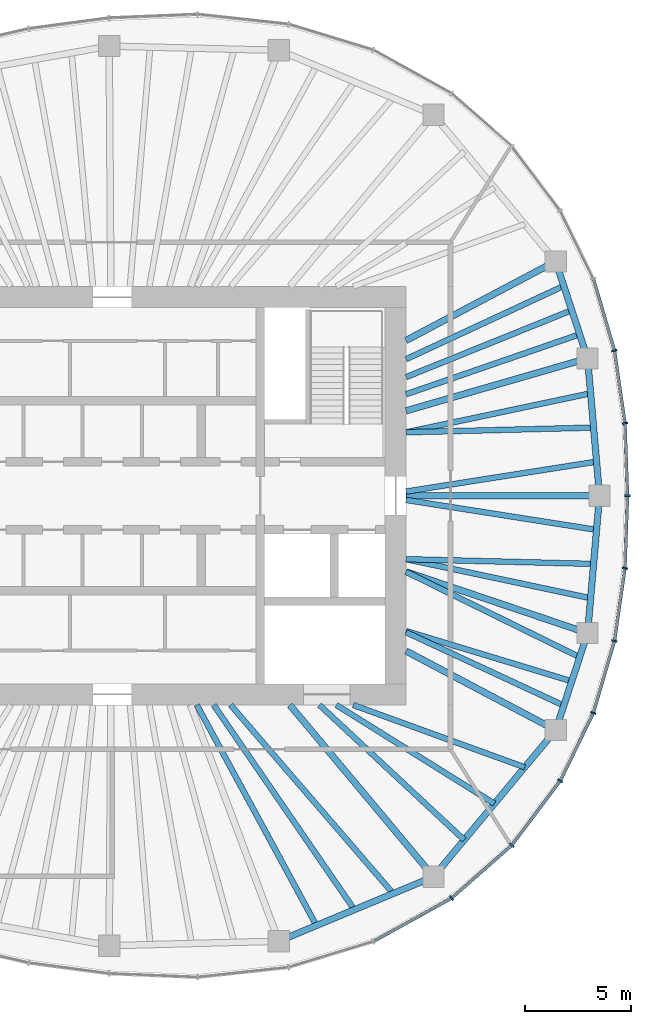
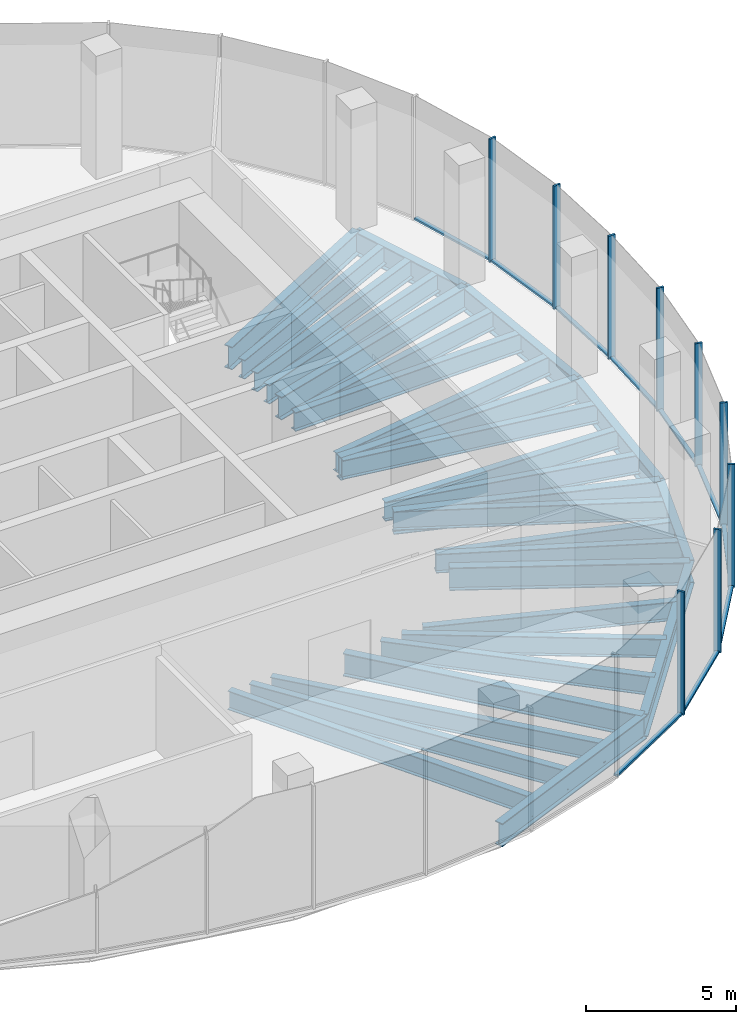
# One storey, part 4 of 11: 30 beams, 19 members, 6 elements without a shape of their own.
"""IFC4 building model written with IfcOpenShell, lengths in metres."""

from ifc_helpers import new_model, si_unit, direction, frame, origin, origin_2d, place, context, subcontext, project, spatial, rectangle, i_section, extrude, material, material_profile, profile_set, type_object, element, aggregate, save


model = new_model("IFC4")

# Units and contexts
model_context = context("Model", 3, precision=1e-05, world=origin(), true_north=direction((0.0, 1.0)))
body_context = subcontext(model_context, "Body", "Model", "MODEL_VIEW")
ifc_project = project(units=[si_unit("LENGTHUNIT", "METRE"), si_unit("AREAUNIT", "SQUARE_METRE"), si_unit("VOLUMEUNIT", "CUBIC_METRE"), si_unit("PLANEANGLEUNIT", "RADIAN"), si_unit("MASSUNIT", "GRAM", prefix="KILO")], contexts=[model_context])

# Site, building, storey
site_placement = place(None, origin())
site = spatial("IfcSite", under=ifc_project, at=site_placement, CompositionType="ELEMENT")
building_placement = place(site_placement, origin())
building = spatial("IfcBuilding", under=site, at=building_placement, Name="Ghaith Harvest Tower", CompositionType="ELEMENT")
storey_placement = place(building_placement, frame((0.0, 0.0, 339.199951171875)))
storey = spatial("IfcBuildingStorey", under=building, at=storey_placement, Name="L76", CompositionType="ELEMENT", Elevation=339.199951171875)

# Curtain wall, members
ifc_material_1 = material(Name="Black anodised aluminium and fritted glass", Category="aluminium")
curtain_wall_type = type_object("IfcCurtainWallType", Name="CW-C CURTAIN WALL", PredefinedType="NOTDEFINED", material=ifc_material_1)
curtain_wall_1_placement = place(storey_placement, origin())
curtain_wall_1 = element("IfcCurtainWall", 1, at=curtain_wall_1_placement, inside=storey, type_object=curtain_wall_type, Name="Curtain wall CW-C bay 01 L76", PredefinedType="NOTDEFINED")
ifc_material_2 = material(Name="Aluminium, black anodised", Category="aluminium")
ifc_material_profile_1 = material_profile(ifc_material_2, rectangle(XDim=0.080078125, YDim=0.260009765625, at=origin_2d()), Name="CW-C MULLION 80x260")
ifc_profile_set_1 = profile_set([ifc_material_profile_1], Name="Aluminium, black anodised")
member_type_1 = type_object("IfcMemberType", Name="CW-C MULLION 80x260", PredefinedType="MULLION", material=ifc_profile_set_1)
member_1_placement = place(storey_placement, frame((24.3701171875, 0.0, 0.0), z_axis=(0.0, 0.0, 1.0), x_axis=(5.2e-11, 1.0, 0.0)))
member_1 = element("IfcMember", 2, at=member_1_placement, type_object=member_type_1, Name="CW-C mullion 1 bay 01 L76", PredefinedType="MULLION", context=body_context, shape_type="SweptSolid", body=[
    extrude(rectangle(XDim=0.080078125, YDim=0.260009765625, at=origin_2d()), origin(), (0.0, 0.0, 1.0), 5.0),
])
member_2_placement = place(storey_placement, frame((24.247802734375, 3.433837890625, 0.0), z_axis=(0.0, 0.0, 1.0), x_axis=(-0.089502202236, 0.995986624305, 0.0)))
member_2 = element("IfcMember", 3, at=member_2_placement, type_object=member_type_1, Name="CW-C mullion 2 bay 01 L76", PredefinedType="MULLION", context=body_context, shape_type="SweptSolid", body=[
    extrude(rectangle(XDim=0.080078125, YDim=0.260009765625, at=origin_2d()), origin(), (0.0, 0.0, 1.0), 5.0),
])

# Curtain wall, member
curtain_wall_2_placement = place(storey_placement, origin())
curtain_wall_2 = element("IfcCurtainWall", 4, at=curtain_wall_2_placement, inside=storey, type_object=curtain_wall_type, Name="Curtain wall CW-C bay 02 L76", PredefinedType="NOTDEFINED")
member_3_placement = place(storey_placement, frame((23.753173828125, 6.865234375, 0.0), z_axis=(0.0, 0.0, 1.0), x_axis=(-0.21340203233, 0.976964468442, 0.0)))
member_3 = element("IfcMember", 5, at=member_3_placement, type_object=member_type_1, Name="CW-C mullion 1 bay 02 L76", PredefinedType="MULLION", context=body_context, shape_type="SweptSolid", body=[
    extrude(rectangle(XDim=0.080078125, YDim=0.260009765625, at=origin_2d()), origin(), (0.0, 0.0, 1.0), 5.0),
])

# Curtain wall, members
curtain_wall_3_placement = place(storey_placement, origin())
curtain_wall_3 = element("IfcCurtainWall", 6, at=curtain_wall_3_placement, inside=storey, type_object=curtain_wall_type, Name="Curtain wall CW-C bay 18 L76", PredefinedType="NOTDEFINED")
member_4_placement = place(storey_placement, frame((16.04931640625, -19.031982421875, 0.0), z_axis=(0.0, 0.0, 1.0), x_axis=(0.821112053644, 0.570767023715, 0.0)))
member_4 = element("IfcMember", 7, at=member_4_placement, type_object=member_type_1, Name="CW-C mullion 1 bay 18 L76", PredefinedType="MULLION", context=body_context, shape_type="SweptSolid", body=[
    extrude(rectangle(XDim=0.080078125, YDim=0.260009765625, at=origin_2d()), origin(), (0.0, 0.0, 1.0), 5.0),
])
member_5_placement = place(storey_placement, frame((18.901123046875, -16.527099609375, 0.0), z_axis=(0.0, 0.0, 1.0), x_axis=(0.679660897254, 0.733526458108, 0.0)))
member_5 = element("IfcMember", 8, at=member_5_placement, type_object=member_type_1, Name="CW-C mullion 2 bay 18 L76", PredefinedType="MULLION", context=body_context, shape_type="SweptSolid", body=[
    extrude(rectangle(XDim=0.080078125, YDim=0.260009765625, at=origin_2d()), origin(), (0.0, 0.0, 1.0), 5.0),
])

curtain_wall_4_placement = place(storey_placement, origin())
curtain_wall_4 = element("IfcCurtainWall", 9, at=curtain_wall_4_placement, inside=storey, type_object=curtain_wall_type, Name="Curtain wall CW-C bay 19 L76", PredefinedType="NOTDEFINED")
member_6_placement = place(storey_placement, frame((21.18896484375, -13.48486328125, 0.0), z_axis=(0.0, 0.0, 1.0), x_axis=(0.524482238715, 0.85142138878, 0.0)))
member_6 = element("IfcMember", 10, at=member_6_placement, type_object=member_type_1, Name="CW-C mullion 1 bay 19 L76", PredefinedType="MULLION", context=body_context, shape_type="SweptSolid", body=[
    extrude(rectangle(XDim=0.080078125, YDim=0.260009765625, at=origin_2d()), origin(), (0.0, 0.0, 1.0), 5.0),
])
member_7_placement = place(storey_placement, frame((22.754150390625, -10.272216796875, 0.0), z_axis=(0.0, 0.0, 1.0), x_axis=(0.361184273904, 0.932494461262, 0.0)))
member_7 = element("IfcMember", 11, at=member_7_placement, type_object=member_type_1, Name="CW-C mullion 2 bay 19 L76", PredefinedType="MULLION", context=body_context, shape_type="SweptSolid", body=[
    extrude(rectangle(XDim=0.080078125, YDim=0.260009765625, at=origin_2d()), origin(), (0.0, 0.0, 1.0), 5.0),
])

curtain_wall_5_placement = place(storey_placement, origin())
curtain_wall_5 = element("IfcCurtainWall", 12, at=curtain_wall_5_placement, inside=storey, type_object=curtain_wall_type, Name="Curtain wall CW-C bay 20 L76", PredefinedType="NOTDEFINED")
member_8_placement = place(storey_placement, frame((23.753173828125, -6.865234375, 0.0), z_axis=(0.0, 0.0, 1.0), x_axis=(0.213402032501, 0.976964468404, 0.0)))
member_8 = element("IfcMember", 13, at=member_8_placement, type_object=member_type_1, Name="CW-C mullion 1 bay 20 L76", PredefinedType="MULLION", context=body_context, shape_type="SweptSolid", body=[
    extrude(rectangle(XDim=0.080078125, YDim=0.260009765625, at=origin_2d()), origin(), (0.0, 0.0, 1.0), 5.0),
])
member_9_placement = place(storey_placement, frame((24.247802734375, -3.433837890625, 0.0), z_axis=(0.0, 0.0, 1.0), x_axis=(0.089502202305, 0.995986624299, 0.0)))
member_9 = element("IfcMember", 14, at=member_9_placement, type_object=member_type_1, Name="CW-C mullion 2 bay 20 L76", PredefinedType="MULLION", context=body_context, shape_type="SweptSolid", body=[
    extrude(rectangle(XDim=0.080078125, YDim=0.260009765625, at=origin_2d()), origin(), (0.0, 0.0, 1.0), 5.0),
])

# Member
ifc_material_3 = material(Name="Aluminium, black anodised", Category="aluminium")
ifc_material_profile_2 = material_profile(ifc_material_3, rectangle(XDim=0.159912109375, YDim=0.080078125, at=origin_2d()), Name="CW-C TRANSOM 160x80")
ifc_profile_set_2 = profile_set([ifc_material_profile_2], Name="Aluminium, black anodised")
member_type_2 = type_object("IfcMemberType", Name="CW-C TRANSOM 160x80", PredefinedType="USERDEFINED", material=ifc_profile_set_2)
member_10_placement = place(storey_placement, frame((24.36865234375, 0.0400390625, 0.0400390625), z_axis=(-0.035574759537, 0.999367017909, 0.0), x_axis=(-0.999367017909, -0.035574759537, 0.0)))
member_10 = element("IfcMember", 15, at=member_10_placement, type_object=member_type_2, Name="CW-C transom 1 bay 01 L76", ObjectType="TRANSOM", PredefinedType="USERDEFINED", context=body_context, shape_type="SweptSolid", body=[
    extrude(rectangle(XDim=0.159912109375, YDim=0.080078125, at=origin_2d()), origin(), (0.0, 0.0, 1.0), 3.35595703125),
])

member_11_placement = place(storey_placement, frame((24.2421875, 3.473388671875, 0.0400390625), z_axis=(-0.142733224301, 0.989761196795, 0.0), x_axis=(-0.989761196795, -0.142733224301, 0.0)))
member_11 = element("IfcMember", 16, at=member_11_placement, type_object=member_type_2, Name="CW-C transom 2 bay 01 L76", ObjectType="TRANSOM", PredefinedType="USERDEFINED", context=body_context, shape_type="SweptSolid", body=[
    extrude(rectangle(XDim=0.159912109375, YDim=0.080078125, at=origin_2d()), origin(), (0.0, 0.0, 1.0), 3.38671875),
])

aggregate(curtain_wall_1, [member_1, member_10, member_2, member_11])

member_12_placement = place(storey_placement, frame((23.741943359375, 6.903564453125, 0.0400390625), z_axis=(-0.281385475469, 0.95959481772, 0.0), x_axis=(-0.95959481772, -0.281385475469, 0.0)))
member_12 = element("IfcMember", 17, at=member_12_placement, type_object=member_type_2, Name="CW-C transom 1 bay 02 L76", ObjectType="TRANSOM", PredefinedType="USERDEFINED", context=body_context, shape_type="SweptSolid", body=[
    extrude(rectangle(XDim=0.159912109375, YDim=0.080078125, at=origin_2d()), origin(), (0.0, 0.0, 1.0), 3.470458984375),
])

aggregate(curtain_wall_2, [member_3, member_12])

# Curtain wall, member
curtain_wall_6_placement = place(storey_placement, origin())
curtain_wall_6 = element("IfcCurtainWall", 18, at=curtain_wall_6_placement, inside=storey, type_object=curtain_wall_type, Name="Curtain wall CW-C bay 17 L76", PredefinedType="NOTDEFINED")
member_13_placement = place(storey_placement, frame((12.369384765625, -21.072509765625, 0.0400390625), z_axis=(0.874552130553, 0.484931511603, 0.0), x_axis=(-0.484931511603, 0.874552130553, 0.0)))
member_13 = element("IfcMember", 19, at=member_13_placement, type_object=member_type_2, Name="CW-C transom 2 bay 17 L76", ObjectType="TRANSOM", PredefinedType="USERDEFINED", context=body_context, shape_type="SweptSolid", body=[
    extrude(rectangle(XDim=0.159912109375, YDim=0.080078125, at=origin_2d()), origin(), (0.0, 0.0, 1.0), 4.16748046875),
])
aggregate(curtain_wall_6, [member_13])

# Member
member_14_placement = place(storey_placement, frame((16.079345703125, -19.005615234375, 0.0400390625), z_axis=(0.751325799984, 0.659931467865, 0.0), x_axis=(-0.659931467865, 0.751325799984, 0.0)))
member_14 = element("IfcMember", 20, at=member_14_placement, type_object=member_type_2, Name="CW-C transom 1 bay 18 L76", ObjectType="TRANSOM", PredefinedType="USERDEFINED", context=body_context, shape_type="SweptSolid", body=[
    extrude(rectangle(XDim=0.159912109375, YDim=0.080078125, at=origin_2d()), origin(), (0.0, 0.0, 1.0), 3.7158203125),
])

member_15_placement = place(storey_placement, frame((18.925048828125, -16.4951171875, 0.0400390625), z_axis=(0.601079103045, 0.799189534392, 0.0), x_axis=(-0.799189534392, 0.601079103045, 0.0)))
member_15 = element("IfcMember", 21, at=member_15_placement, type_object=member_type_2, Name="CW-C transom 2 bay 18 L76", ObjectType="TRANSOM", PredefinedType="USERDEFINED", context=body_context, shape_type="SweptSolid", body=[
    extrude(rectangle(XDim=0.159912109375, YDim=0.080078125, at=origin_2d()), origin(), (0.0, 0.0, 1.0), 3.7265625),
])

aggregate(curtain_wall_3, [member_4, member_14, member_5, member_15])

member_16_placement = place(storey_placement, frame((21.20654296875, -13.448974609375, 0.0400390625), z_axis=(0.437965078712, 0.898991985408, 0.0), x_axis=(-0.898991985408, 0.437965078712, 0.0)))
member_16 = element("IfcMember", 22, at=member_16_placement, type_object=member_type_2, Name="CW-C transom 1 bay 19 L76", ObjectType="TRANSOM", PredefinedType="USERDEFINED", context=body_context, shape_type="SweptSolid", body=[
    extrude(rectangle(XDim=0.159912109375, YDim=0.080078125, at=origin_2d()), origin(), (0.0, 0.0, 1.0), 3.493408203125),
])

member_17_placement = place(storey_placement, frame((22.765380859375, -10.23388671875, 0.0400390625), z_axis=(0.281385475469, 0.95959481772, 0.0), x_axis=(-0.95959481772, 0.281385475469, 0.0)))
member_17 = element("IfcMember", 23, at=member_17_placement, type_object=member_type_2, Name="CW-C transom 2 bay 19 L76", ObjectType="TRANSOM", PredefinedType="USERDEFINED", context=body_context, shape_type="SweptSolid", body=[
    extrude(rectangle(XDim=0.159912109375, YDim=0.080078125, at=origin_2d()), origin(), (0.0, 0.0, 1.0), 3.470458984375),
])

aggregate(curtain_wall_4, [member_6, member_16, member_7, member_17])

member_18_placement = place(storey_placement, frame((23.7587890625, -6.825439453125, 0.0400390625), z_axis=(0.142733224301, 0.989761196795, 0.0), x_axis=(-0.989761196795, 0.142733224301, 0.0)))
member_18 = element("IfcMember", 24, at=member_18_placement, type_object=member_type_2, Name="CW-C transom 1 bay 20 L76", ObjectType="TRANSOM", PredefinedType="USERDEFINED", context=body_context, shape_type="SweptSolid", body=[
    extrude(rectangle(XDim=0.159912109375, YDim=0.080078125, at=origin_2d()), origin(), (0.0, 0.0, 1.0), 3.38671875),
])

member_19_placement = place(storey_placement, frame((24.249267578125, -3.393798828125, 0.0400390625), z_axis=(0.035574759537, 0.999367017909, 0.0), x_axis=(-0.999367017909, 0.035574759537, 0.0)))
member_19 = element("IfcMember", 25, at=member_19_placement, type_object=member_type_2, Name="CW-C transom 2 bay 20 L76", ObjectType="TRANSOM", PredefinedType="USERDEFINED", context=body_context, shape_type="SweptSolid", body=[
    extrude(rectangle(XDim=0.159912109375, YDim=0.080078125, at=origin_2d()), origin(), (0.0, 0.0, 1.0), 3.35595703125),
])

aggregate(curtain_wall_5, [member_8, member_18, member_9, member_19])

# Beams
ifc_material_4 = material(Name="Steel ASTM A992 Grade 50", Category="steel")
ifc_material_profile_3 = material_profile(ifc_material_4, i_section(OverallWidth=0.306884765625, OverallDepth=0.94189453125, WebThickness=0.022216796875, FlangeThickness=0.039794921875, at=origin_2d()), Name="W920X345")
ifc_profile_set_3 = profile_set([ifc_material_profile_3], Name="Steel ASTM A992 Grade 50")
beam_type_1 = type_object("IfcBeamType", Name="E920-345 W920X345", PredefinedType="SPANDREL", material=ifc_profile_set_3)
beam_1_placement = place(storey_placement, frame((23.050048828125, 0.0, -0.77099609375), z_axis=(-0.086600547306, 0.996243115513, 0.0), x_axis=(-0.996243115513, -0.086600547306, 0.0)))
element("IfcBeam", 26, at=beam_1_placement, inside=storey, type_object=beam_type_1, Name="Edge beam E01 L76", PredefinedType="SPANDREL", context=body_context, shape_type="SweptSolid", body=[
    extrude(i_section(OverallWidth=0.306884765625, OverallDepth=0.94189453125, WebThickness=0.022216796875, FlangeThickness=0.039794921875, at=origin_2d()), origin(), (0.0, 0.0, 1.0), 6.5234375),
])
beam_2_placement = place(storey_placement, frame((22.485107421875, 6.4990234375, -0.77099609375), z_axis=(-0.312206727278, 0.950014189074, 0.0), x_axis=(-0.950014189074, -0.312206727278, 0.0)))
element("IfcBeam", 27, at=beam_2_placement, inside=storey, type_object=beam_type_1, Name="Edge beam E02 L76", PredefinedType="SPANDREL", context=body_context, shape_type="SweptSolid", body=[
    extrude(i_section(OverallWidth=0.306884765625, OverallDepth=0.94189453125, WebThickness=0.022216796875, FlangeThickness=0.039794921875, at=origin_2d()), origin(), (0.0, 0.0, 1.0), 4.830322265625),
])
beam_3_placement = place(storey_placement, frame((7.8779296875, -21.072021484375, -0.77099609375), z_axis=(0.923119729219, 0.384512633766, 0.0), x_axis=(-0.384512633766, 0.923119729219, 0.0)))
element("IfcBeam", 28, at=beam_3_placement, inside=storey, type_object=beam_type_1, Name="Edge beam E17 L76", PredefinedType="SPANDREL", context=body_context, shape_type="SweptSolid", body=[
    extrude(i_section(OverallWidth=0.306884765625, OverallDepth=0.94189453125, WebThickness=0.022216796875, FlangeThickness=0.039794921875, at=origin_2d()), origin(), (0.0, 0.0, 1.0), 7.9296875),
])
beam_4_placement = place(storey_placement, frame((15.197998046875, -18.02294921875, -0.77099609375), z_axis=(0.640173759088, 0.76823014662, 0.0), x_axis=(-0.76823014662, 0.640173759088, 0.0)))
element("IfcBeam", 29, at=beam_4_placement, inside=storey, type_object=beam_type_1, Name="Edge beam E18 L76", PredefinedType="SPANDREL", context=body_context, shape_type="SweptSolid", body=[
    extrude(i_section(OverallWidth=0.306884765625, OverallDepth=0.94189453125, WebThickness=0.022216796875, FlangeThickness=0.039794921875, at=origin_2d()), origin(), (0.0, 0.0, 1.0), 9.02734375),
])
beam_5_placement = place(storey_placement, frame((20.97705078125, -11.087890625, -0.77099609375), z_axis=(0.312206727278, 0.950014189074, 0.0), x_axis=(-0.950014189074, 0.312206727278, 0.0)))
element("IfcBeam", 30, at=beam_5_placement, inside=storey, type_object=beam_type_1, Name="Edge beam E19 L76", PredefinedType="SPANDREL", context=body_context, shape_type="SweptSolid", body=[
    extrude(i_section(OverallWidth=0.306884765625, OverallDepth=0.94189453125, WebThickness=0.022216796875, FlangeThickness=0.039794921875, at=origin_2d()), origin(), (0.0, 0.0, 1.0), 4.830322265625),
])
beam_6_placement = place(storey_placement, frame((22.485107421875, -6.4990234375, -0.77099609375), z_axis=(0.086600547306, 0.996243115513, 0.0), x_axis=(-0.996243115513, 0.086600547306, 0.0)))
element("IfcBeam", 31, at=beam_6_placement, inside=storey, type_object=beam_type_1, Name="Edge beam E20 L76", PredefinedType="SPANDREL", context=body_context, shape_type="SweptSolid", body=[
    extrude(i_section(OverallWidth=0.306884765625, OverallDepth=0.94189453125, WebThickness=0.022216796875, FlangeThickness=0.039794921875, at=origin_2d()), origin(), (0.0, 0.0, 1.0), 6.5234375),
])
ifc_material_5 = material(Name="Steel ASTM A992 Grade 50", Category="steel")
ifc_material_profile_4 = material_profile(ifc_material_5, i_section(OverallWidth=0.31005859375, OverallDepth=0.927001953125, WebThickness=0.019287109375, FlangeThickness=0.031982421875, at=origin_2d()), Name="W920X289")
ifc_profile_set_4 = profile_set([ifc_material_profile_4], Name="Steel ASTM A992 Grade 50")
beam_type_2 = type_object("IfcBeamType", Name="G920-289 W920X289", PredefinedType="BEAM", material=ifc_profile_set_4)
beam_7_placement = place(storey_placement, frame((13.89990234375, 0.0, -0.763427734375), z_axis=(1.0, 0.0, 0.0), x_axis=(0.0, 1.0, 0.0)))
element("IfcBeam", 32, at=beam_7_placement, inside=storey, type_object=beam_type_2, Name="Radial girder G01 L76", PredefinedType="BEAM", context=body_context, shape_type="SweptSolid", body=[
    extrude(i_section(OverallWidth=0.31005859375, OverallDepth=0.927001953125, WebThickness=0.019287109375, FlangeThickness=0.031982421875, at=origin_2d()), origin(), (0.0, 0.0, 1.0), 9.150146484375),
])
beam_8_placement = place(storey_placement, frame((13.89990234375, 4.017333984375, -0.763427734375), z_axis=(0.960668846071, 0.27769653975, 0.0), x_axis=(-0.27769653975, 0.960668846071, 0.0)))
element("IfcBeam", 33, at=beam_8_placement, inside=storey, type_object=beam_type_2, Name="Radial girder G02 L76", PredefinedType="BEAM", context=body_context, shape_type="SweptSolid", body=[
    extrude(i_section(OverallWidth=0.31005859375, OverallDepth=0.927001953125, WebThickness=0.019287109375, FlangeThickness=0.031982421875, at=origin_2d()), origin(), (0.0, 0.0, 1.0), 8.936767578125),
])
beam_9_placement = place(storey_placement, frame((13.89990234375, 7.34716796875, -0.763427734375), z_axis=(0.884097820364, 0.467301876764, 0.0), x_axis=(-0.467301876764, 0.884097820364, 0.0)))
element("IfcBeam", 34, at=beam_9_placement, inside=storey, type_object=beam_type_2, Name="Radial girder G03 L76", PredefinedType="BEAM", context=body_context, shape_type="SweptSolid", body=[
    extrude(i_section(OverallWidth=0.31005859375, OverallDepth=0.927001953125, WebThickness=0.019287109375, FlangeThickness=0.031982421875, at=origin_2d()), origin(), (0.0, 0.0, 1.0), 8.0048828125),
])
beam_10_placement = place(storey_placement, frame((8.39990234375, -9.89990234375, -0.763427734375), z_axis=(0.641792628883, -0.766878231215, 0.0), x_axis=(0.766878231215, 0.641792628883, 0.0)))
element("IfcBeam", 35, at=beam_10_placement, inside=storey, type_object=beam_type_2, Name="Radial girder G18 L76", PredefinedType="BEAM", context=body_context, shape_type="SweptSolid", body=[
    extrude(i_section(OverallWidth=0.31005859375, OverallDepth=0.927001953125, WebThickness=0.019287109375, FlangeThickness=0.031982421875, at=origin_2d()), origin(), (0.0, 0.0, 1.0), 10.59228515625),
])
beam_11_placement = place(storey_placement, frame((13.89990234375, -7.34716796875, -0.763427734375), z_axis=(0.884097820364, -0.467301876764, 0.0), x_axis=(0.467301876764, 0.884097820364, 0.0)))
element("IfcBeam", 36, at=beam_11_placement, inside=storey, type_object=beam_type_2, Name="Radial girder G19 L76", PredefinedType="BEAM", context=body_context, shape_type="SweptSolid", body=[
    extrude(i_section(OverallWidth=0.31005859375, OverallDepth=0.927001953125, WebThickness=0.019287109375, FlangeThickness=0.031982421875, at=origin_2d()), origin(), (0.0, 0.0, 1.0), 8.0048828125),
])
beam_12_placement = place(storey_placement, frame((13.89990234375, -3.60009765625, -0.763427734375), z_axis=(0.947444819082, -0.319919231673, 0.0), x_axis=(0.319919231673, 0.947444819082, 0.0)))
element("IfcBeam", 37, at=beam_12_placement, inside=storey, type_object=beam_type_2, Name="Radial girder G20 L76", PredefinedType="BEAM", context=body_context, shape_type="SweptSolid", body=[
    extrude(i_section(OverallWidth=0.31005859375, OverallDepth=0.927001953125, WebThickness=0.019287109375, FlangeThickness=0.031982421875, at=origin_2d()), origin(), (0.0, 0.0, 1.0), 9.0615234375),
])
ifc_material_6 = material(Name="Steel ASTM A992 Grade 50", Category="steel")
ifc_material_profile_5 = material_profile(ifc_material_6, i_section(OverallWidth=0.26806640625, OverallDepth=0.77001953125, WebThickness=0.015625, FlangeThickness=0.025390625, at=origin_2d()), Name="W760X196")
ifc_profile_set_5 = profile_set([ifc_material_profile_5], Name="Steel ASTM A992 Grade 50")
beam_type_3 = type_object("IfcBeamType", Name="J760-196 W760X196", PredefinedType="JOIST", material=ifc_profile_set_5)
beam_13_placement = place(storey_placement, frame((13.89990234375, 0.199951171875, -0.68505859375), z_axis=(0.987906665526, 0.155049734628, 0.0), x_axis=(-0.155049734628, 0.987906665526, 0.0)))
element("IfcBeam", 38, at=beam_13_placement, inside=storey, type_object=beam_type_3, Name="Joist J01.1 L76", PredefinedType="JOIST", context=body_context, shape_type="SweptSolid", body=[
    extrude(i_section(OverallWidth=0.26806640625, OverallDepth=0.77001953125, WebThickness=0.015625, FlangeThickness=0.025390625, at=origin_2d()), origin(), (0.0, 0.0, 1.0), 9.1201171875),
])
beam_14_placement = place(storey_placement, frame((13.89990234375, 3.0, -0.68505859375), z_axis=(0.999679533859, 0.025314612071, 0.0), x_axis=(-0.025314612071, 0.999679533859, 0.0)))
element("IfcBeam", 39, at=beam_14_placement, inside=storey, type_object=beam_type_3, Name="Joist J01.2 L76", PredefinedType="JOIST", context=body_context, shape_type="SweptSolid", body=[
    extrude(i_section(OverallWidth=0.26806640625, OverallDepth=0.77001953125, WebThickness=0.015625, FlangeThickness=0.025390625, at=origin_2d()), origin(), (0.0, 0.0, 1.0), 8.872802734375),
])
beam_15_placement = place(storey_placement, frame((13.89990234375, 3.0, -0.68505859375), z_axis=(0.97833382446, 0.207033639579, 0.0), x_axis=(-0.207033639579, 0.97833382446, 0.0)))
element("IfcBeam", 40, at=beam_15_placement, inside=storey, type_object=beam_type_3, Name="Joist J01.3 L76", PredefinedType="JOIST", context=body_context, shape_type="SweptSolid", body=[
    extrude(i_section(OverallWidth=0.26806640625, OverallDepth=0.77001953125, WebThickness=0.015625, FlangeThickness=0.025390625, at=origin_2d()), origin(), (0.0, 0.0, 1.0), 8.922119140625),
])
beam_16_placement = place(storey_placement, frame((13.89990234375, 4.801025390625, -0.68505859375), z_axis=(0.945204712775, 0.326478254937, 0.0), x_axis=(-0.326478254937, 0.945204712775, 0.0)))
element("IfcBeam", 41, at=beam_16_placement, inside=storey, type_object=beam_type_3, Name="Joist J02.1 L76", PredefinedType="JOIST", context=body_context, shape_type="SweptSolid", body=[
    extrude(i_section(OverallWidth=0.26806640625, OverallDepth=0.77001953125, WebThickness=0.015625, FlangeThickness=0.025390625, at=origin_2d()), origin(), (0.0, 0.0, 1.0), 8.687255859375),
])
beam_17_placement = place(storey_placement, frame((13.89990234375, 5.61328125, -0.68505859375), z_axis=(0.927254375113, 0.374432001615, 0.0), x_axis=(-0.374432001615, 0.927254375113, 0.0)))
element("IfcBeam", 42, at=beam_17_placement, inside=storey, type_object=beam_type_3, Name="Joist J02.2 L76", PredefinedType="JOIST", context=body_context, shape_type="SweptSolid", body=[
    extrude(i_section(OverallWidth=0.26806640625, OverallDepth=0.77001953125, WebThickness=0.015625, FlangeThickness=0.025390625, at=origin_2d()), origin(), (0.0, 0.0, 1.0), 8.450927734375),
])
beam_18_placement = place(storey_placement, frame((13.89990234375, 6.45947265625, -0.68505859375), z_axis=(0.906859906661, 0.42143221245, 0.0), x_axis=(-0.42143221245, 0.906859906661, 0.0)))
element("IfcBeam", 43, at=beam_18_placement, inside=storey, type_object=beam_type_3, Name="Joist J02.3 L76", PredefinedType="JOIST", context=body_context, shape_type="SweptSolid", body=[
    extrude(i_section(OverallWidth=0.26806640625, OverallDepth=0.77001953125, WebThickness=0.015625, FlangeThickness=0.025390625, at=origin_2d()), origin(), (0.0, 0.0, 1.0), 8.22509765625),
])
beam_19_placement = place(storey_placement, frame((4.0, -9.89990234375, -0.68505859375), z_axis=(0.476764926531, -0.879030832696, 0.0), x_axis=(0.879030832696, 0.476764926531, 0.0)))
element("IfcBeam", 44, at=beam_19_placement, inside=storey, type_object=beam_type_3, Name="Joist J17.1 L76", PredefinedType="JOIST", context=body_context, shape_type="SweptSolid", body=[
    extrude(i_section(OverallWidth=0.26806640625, OverallDepth=0.77001953125, WebThickness=0.015625, FlangeThickness=0.025390625, at=origin_2d()), origin(), (0.0, 0.0, 1.0), 11.866455078125),
])
beam_20_placement = place(storey_placement, frame((4.800048828125, -9.89990234375, -0.68505859375), z_axis=(0.566228035119, -0.824248634967, 0.0), x_axis=(0.824248634967, 0.566228035119, 0.0)))
element("IfcBeam", 45, at=beam_20_placement, inside=storey, type_object=beam_type_3, Name="Joist J17.2 L76", PredefinedType="JOIST", context=body_context, shape_type="SweptSolid", body=[
    extrude(i_section(OverallWidth=0.26806640625, OverallDepth=0.77001953125, WebThickness=0.015625, FlangeThickness=0.025390625, at=origin_2d()), origin(), (0.0, 0.0, 1.0), 11.748046875),
])
beam_21_placement = place(storey_placement, frame((5.60009765625, -9.89990234375, -0.68505859375), z_axis=(0.652992938501, -0.757363995888, 0.0), x_axis=(0.757363995888, 0.652992938501, 0.0)))
element("IfcBeam", 46, at=beam_21_placement, inside=storey, type_object=beam_type_3, Name="Joist J17.3 L76", PredefinedType="JOIST", context=body_context, shape_type="SweptSolid", body=[
    extrude(i_section(OverallWidth=0.26806640625, OverallDepth=0.77001953125, WebThickness=0.015625, FlangeThickness=0.025390625, at=origin_2d()), origin(), (0.0, 0.0, 1.0), 11.775390625),
])
beam_22_placement = place(storey_placement, frame((9.800048828125, -9.89990234375, -0.68505859375), z_axis=(0.73164904944, -0.681681500742, 0.0), x_axis=(0.681681500742, 0.73164904944, 0.0)))
element("IfcBeam", 47, at=beam_22_placement, inside=storey, type_object=beam_type_3, Name="Joist J18.1 L76", PredefinedType="JOIST", context=body_context, shape_type="SweptSolid", body=[
    extrude(i_section(OverallWidth=0.26806640625, OverallDepth=0.77001953125, WebThickness=0.015625, FlangeThickness=0.025390625, at=origin_2d()), origin(), (0.0, 0.0, 1.0), 9.361572265625),
])
beam_23_placement = place(storey_placement, frame((10.60009765625, -9.89990234375, -0.68505859375), z_axis=(0.84837619421, -0.52939383553, 0.0), x_axis=(0.52939383553, 0.84837619421, 0.0)))
element("IfcBeam", 48, at=beam_23_placement, inside=storey, type_object=beam_type_3, Name="Joist J18.2 L76", PredefinedType="JOIST", context=body_context, shape_type="SweptSolid", body=[
    extrude(i_section(OverallWidth=0.26806640625, OverallDepth=0.77001953125, WebThickness=0.015625, FlangeThickness=0.025390625, at=origin_2d()), origin(), (0.0, 0.0, 1.0), 8.814697265625),
])
beam_24_placement = place(storey_placement, frame((11.39990234375, -9.89990234375, -0.68505859375), z_axis=(0.939925501564, -0.341379629605, 0.0), x_axis=(0.341379629605, 0.939925501564, 0.0)))
element("IfcBeam", 49, at=beam_24_placement, inside=storey, type_object=beam_type_3, Name="Joist J18.3 L76", PredefinedType="JOIST", context=body_context, shape_type="SweptSolid", body=[
    extrude(i_section(OverallWidth=0.26806640625, OverallDepth=0.77001953125, WebThickness=0.015625, FlangeThickness=0.025390625, at=origin_2d()), origin(), (0.0, 0.0, 1.0), 8.630615234375),
])
beam_25_placement = place(storey_placement, frame((13.89990234375, -6.45947265625, -0.68505859375), z_axis=(0.906859906661, -0.42143221245, 0.0), x_axis=(0.42143221245, 0.906859906661, 0.0)))
element("IfcBeam", 50, at=beam_25_placement, inside=storey, type_object=beam_type_3, Name="Joist J19.1 L76", PredefinedType="JOIST", context=body_context, shape_type="SweptSolid", body=[
    extrude(i_section(OverallWidth=0.26806640625, OverallDepth=0.77001953125, WebThickness=0.015625, FlangeThickness=0.025390625, at=origin_2d()), origin(), (0.0, 0.0, 1.0), 8.22509765625),
])
beam_26_placement = place(storey_placement, frame((13.89990234375, -6.39990234375, -0.68505859375), z_axis=(0.9569197823, -0.290352424208, 0.0), x_axis=(0.290352424208, 0.9569197823, 0.0)))
element("IfcBeam", 51, at=beam_26_placement, inside=storey, type_object=beam_type_3, Name="Joist J19.2 L76", PredefinedType="JOIST", context=body_context, shape_type="SweptSolid", body=[
    extrude(i_section(OverallWidth=0.26806640625, OverallDepth=0.77001953125, WebThickness=0.015625, FlangeThickness=0.025390625, at=origin_2d()), origin(), (0.0, 0.0, 1.0), 8.18896484375),
])
beam_27_placement = place(storey_placement, frame((13.89990234375, -3.60009765625, -0.68505859375), z_axis=(0.89740088778, -0.441216099674, 0.0), x_axis=(0.441216099674, 0.89740088778, 0.0)))
element("IfcBeam", 52, at=beam_27_placement, inside=storey, type_object=beam_type_3, Name="Joist J19.3 L76", PredefinedType="JOIST", context=body_context, shape_type="SweptSolid", body=[
    extrude(i_section(OverallWidth=0.26806640625, OverallDepth=0.77001953125, WebThickness=0.015625, FlangeThickness=0.025390625, at=origin_2d()), origin(), (0.0, 0.0, 1.0), 9.14990234375),
])
beam_28_placement = place(storey_placement, frame((13.89990234375, -3.0, -0.68505859375), z_axis=(0.97833382446, -0.207033639579, 0.0), x_axis=(0.207033639579, 0.97833382446, 0.0)))
element("IfcBeam", 53, at=beam_28_placement, inside=storey, type_object=beam_type_3, Name="Joist J20.1 L76", PredefinedType="JOIST", context=body_context, shape_type="SweptSolid", body=[
    extrude(i_section(OverallWidth=0.26806640625, OverallDepth=0.77001953125, WebThickness=0.015625, FlangeThickness=0.025390625, at=origin_2d()), origin(), (0.0, 0.0, 1.0), 8.922119140625),
])
beam_29_placement = place(storey_placement, frame((13.89990234375, -3.0, -0.68505859375), z_axis=(0.999679533859, -0.025314612071, 0.0), x_axis=(0.025314612071, 0.999679533859, 0.0)))
element("IfcBeam", 54, at=beam_29_placement, inside=storey, type_object=beam_type_3, Name="Joist J20.2 L76", PredefinedType="JOIST", context=body_context, shape_type="SweptSolid", body=[
    extrude(i_section(OverallWidth=0.26806640625, OverallDepth=0.77001953125, WebThickness=0.015625, FlangeThickness=0.025390625, at=origin_2d()), origin(), (0.0, 0.0, 1.0), 8.872802734375),
])
beam_30_placement = place(storey_placement, frame((13.89990234375, -0.199951171875, -0.68505859375), z_axis=(0.987906665526, -0.155049734628, 0.0), x_axis=(0.155049734628, 0.987906665526, 0.0)))
element("IfcBeam", 55, at=beam_30_placement, inside=storey, type_object=beam_type_3, Name="Joist J20.3 L76", PredefinedType="JOIST", context=body_context, shape_type="SweptSolid", body=[
    extrude(i_section(OverallWidth=0.26806640625, OverallDepth=0.77001953125, WebThickness=0.015625, FlangeThickness=0.025390625, at=origin_2d()), origin(), (0.0, 0.0, 1.0), 9.1201171875),
])

save(model, "model.ifc")
